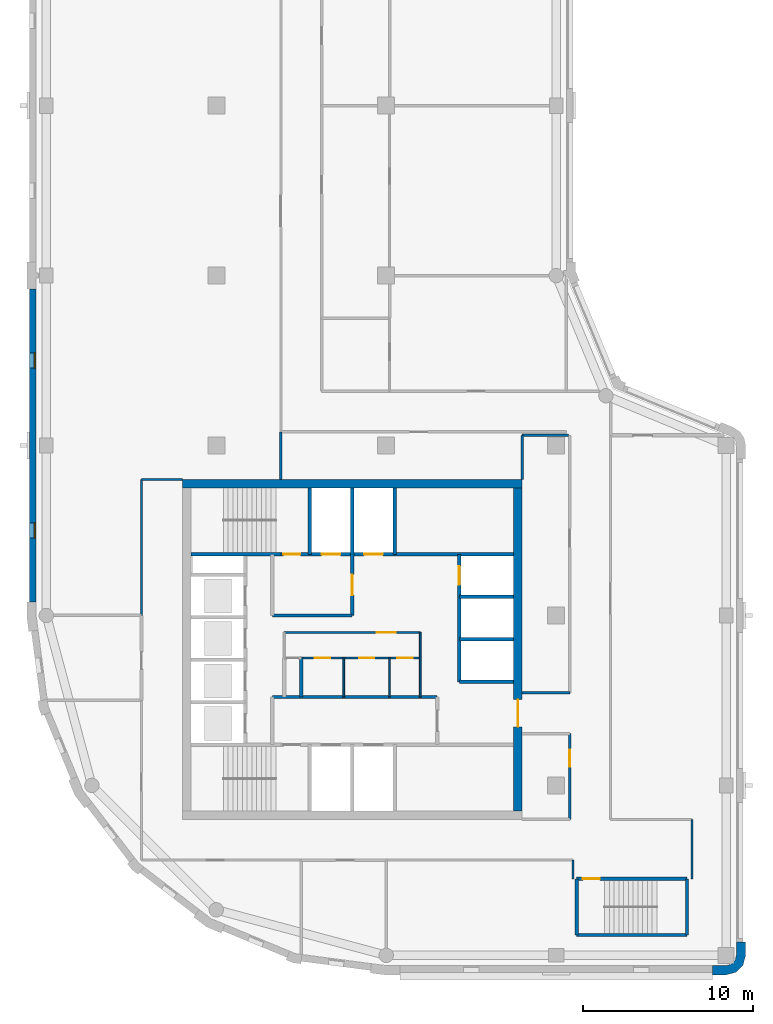
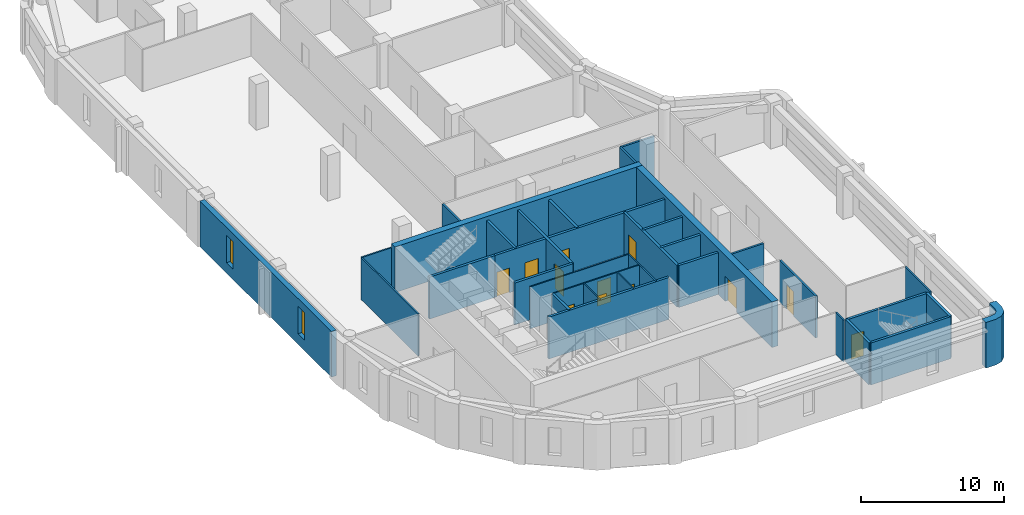
# One storey, part 3 of 8: 34 walls, 12 doors, 2 windows, 14 openings.
"""IFC4 building model written with IfcOpenShell, lengths in metres."""

from ifc_helpers import new_model, si_unit, direction, frame, frame_2d, origin, place, context, subcontext, project, spatial, polyline, rectangle, outline, extrude, material, layer, layer_set, type_object, element, fill, save


model = new_model("IFC4")

# Units and contexts
model_context = context("Model", 3, precision=1e-05, world=origin(), true_north=direction((0.0, 1.0)))
body_context = subcontext(model_context, "Body", "Model", "MODEL_VIEW")
ifc_project = project(units=[si_unit("LENGTHUNIT", "METRE"), si_unit("AREAUNIT", "SQUARE_METRE"), si_unit("VOLUMEUNIT", "CUBIC_METRE"), si_unit("PLANEANGLEUNIT", "RADIAN"), si_unit("MASSUNIT", "GRAM", prefix="KILO")], contexts=[model_context])

# Site, building, storey
site_placement = place(None, origin())
site = spatial("IfcSite", under=ifc_project, at=site_placement, CompositionType="ELEMENT")
building_placement = place(site_placement, origin())
building = spatial("IfcBuilding", under=site, at=building_placement, Name="Qaws Garden Tower", CompositionType="ELEMENT")
storey_placement = place(building_placement, frame((0.0, 0.0, 290.39990234375)))
storey = spatial("IfcBuildingStorey", under=building, at=storey_placement, Name="L70", CompositionType="ELEMENT", Elevation=290.39990234375)

# Wall
ifc_material_1 = material(Name="Clay facing brick masonry", Category="masonry")
ifc_layer_1 = layer(ifc_material_1, 0.550048828125)
ifc_layer_set_1 = layer_set([ifc_layer_1], Name="Clay facing brick masonry")
wall_type_1 = type_object("IfcWallType", Name="Brick corner pier 550 x 2400", PredefinedType="SOLIDWALL", material=ifc_layer_set_1)
wall_1_placement = place(storey_placement, origin())
element("IfcWall", 1, at=wall_1_placement, inside=storey, type_object=wall_type_1, Name="E-L70-pier-02", PredefinedType="SOLIDWALL", context=body_context, shape_type="SweptSolid", body=[
    extrude(outline(polyline([(39.199951171875, -1.0), (39.199951171875, -1.14990234375), (40.0, -1.14990234375), (40.574951171875, -0.995849609375), (40.995849609375, -0.574951171875), (41.14990234375, 0.0), (41.14990234375, 0.800048828125), (41.0, 0.800048828125), (40.60009765625, 0.800048828125), (40.60009765625, 0.0), (40.51953125, -0.300048828125), (40.300048828125, -0.51953125), (40.0, -0.60009765625), (39.199951171875, -0.60009765625), (39.199951171875, -1.0)])), origin(), (0.0, 0.0, 1.0), 3.900146484375),
])

# Wall, openings, windows
ifc_material_2 = material(Name="Clay facing brick masonry", Category="masonry")
ifc_layer_2 = layer(ifc_material_2, 0.39990234375)
ifc_layer_set_2 = layer_set([ifc_layer_2], Name="Clay facing brick masonry")
wall_type_2 = type_object("IfcWallType", Name="Brick infill wall 400", PredefinedType="SOLIDWALL", material=ifc_layer_set_2)
wall_2_placement = place(storey_placement, frame((-0.800048828125, 39.199951171875, 0.0), z_axis=(0.0, 0.0, 1.0), x_axis=(0.0, -1.0, 0.0)))
wall_2 = element("IfcWall", 2, at=wall_2_placement, inside=storey, type_object=wall_type_2, Name="E-L70-infill-19", PredefinedType="SOLIDWALL", context=body_context, shape_type="SweptSolid", body=[
    extrude(rectangle(XDim=18.39990234375, YDim=0.39990234375, at=frame_2d((9.199951171875, 0.0))), origin(), (0.0, 0.0, 1.0), 3.900146484375),
])
opening_1_placement = place(wall_2_placement, frame((3.75, 0.0, 0.89990234375)))
opening_1 = element("IfcOpeningElement", 3, at=opening_1_placement, cuts=wall_2, Name="Opening W09", PredefinedType="OPENING", context=body_context, shape_type="SweptSolid", body=[
    extrude(rectangle(XDim=0.89990234375, YDim=2.35009765625, at=frame_2d((0.449951171875, 1.175048828125))), frame((0.0, 0.2099609375, 0.0), z_axis=(0.0, -1.0, 0.0), x_axis=(1.0, 0.0, 0.0)), (0.0, 0.0, 1.0), 0.419921875),
])
opening_2_placement = place(wall_2_placement, frame((13.75, 0.0, 0.89990234375)))
opening_2 = element("IfcOpeningElement", 4, at=opening_2_placement, cuts=wall_2, Name="Opening W09", PredefinedType="OPENING", context=body_context, shape_type="SweptSolid", body=[
    extrude(rectangle(XDim=0.89990234375, YDim=2.35009765625, at=frame_2d((0.449951171875, 1.175048828125))), frame((0.0, 0.2099609375, 0.0), z_axis=(0.0, -1.0, 0.0), x_axis=(1.0, 0.0, 0.0)), (0.0, 0.0, 1.0), 0.419921875),
])
ifc_material_3 = material(Name="Aluminium framed window, clear glazing", Category="aluminium")
window_type = type_object("IfcWindowType", Name="Slit window 900 x 2350", PartitioningType="SINGLE_PANEL", PredefinedType="WINDOW", material=ifc_material_3)
window_1_placement = place(opening_1_placement, origin())
window_1 = element("IfcWindow", 5, at=window_1_placement, inside=storey, type_object=window_type, Name="E-L70-window-19-0", OverallHeight=2.35009765625, OverallWidth=0.89990234375, PartitioningType="SINGLE_PANEL", PredefinedType="WINDOW", context=body_context, shape_type="SweptSolid", body=[
    extrude(rectangle(XDim=0.89990234375, YDim=2.35009765625, at=frame_2d((0.449951171875, 1.175048828125))), frame((0.0, 0.159912109375, 0.0), z_axis=(0.0, -1.0, 0.0), x_axis=(1.0, 0.0, 0.0)), (0.0, 0.0, 1.0), 0.06005859375),
])
fill(opening_1, window_1)
window_2_placement = place(opening_2_placement, origin())
window_2 = element("IfcWindow", 6, at=window_2_placement, inside=storey, type_object=window_type, Name="E-L70-window-20-0", OverallHeight=2.35009765625, OverallWidth=0.89990234375, PartitioningType="SINGLE_PANEL", PredefinedType="WINDOW", context=body_context, shape_type="SweptSolid", body=[
    extrude(rectangle(XDim=0.89990234375, YDim=2.35009765625, at=frame_2d((0.449951171875, 1.175048828125))), frame((0.0, 0.159912109375, 0.0), z_axis=(0.0, -1.0, 0.0), x_axis=(1.0, 0.0, 0.0)), (0.0, 0.0, 1.0), 0.06005859375),
])
fill(opening_2, window_2)

# Wall, openings, doors
ifc_material_4 = material(Name="Plasterboard")
ifc_layer_3 = layer(ifc_material_4, 0.10009765625)
ifc_layer_set_3 = layer_set([ifc_layer_3], Name="Plasterboard")
wall_type_3 = type_object("IfcWallType", Name="Core partition 100", PredefinedType="PARTITIONING", material=ifc_layer_set_3)
wall_3_placement = place(storey_placement, frame((15.0, 17.5, 0.0), z_axis=(0.0, 0.0, 1.0), x_axis=(1.0, 0.0, 0.0)))
wall_3 = element("IfcWall", 7, at=wall_3_placement, inside=storey, type_object=wall_type_3, Name="Core partition", PredefinedType="PARTITIONING", context=body_context, shape_type="SweptSolid", body=[
    extrude(rectangle(XDim=7.0, YDim=0.10009765625, at=frame_2d((3.5, 0.0))), origin(), (0.0, 0.0, 1.0), 3.580078125),
])
opening_3_placement = place(wall_3_placement, frame((0.800048828125, 0.0, 0.0)))
opening_3 = element("IfcOpeningElement", 8, at=opening_3_placement, cuts=wall_3, Name="Opening WD19", PredefinedType="OPENING", context=body_context, shape_type="SweptSolid", body=[
    extrude(rectangle(XDim=0.89990234375, YDim=2.10009765625, at=frame_2d((0.449951171875, 1.050048828125))), frame((0.0, 0.06005859375, 0.0), z_axis=(0.0, -1.0, 0.0), x_axis=(1.0, 0.0, 0.0)), (0.0, 0.0, 1.0), 0.1201171875),
])
opening_4_placement = place(wall_3_placement, frame((3.39990234375, 0.0, 0.0)))
opening_4 = element("IfcOpeningElement", 9, at=opening_4_placement, cuts=wall_3, Name="Opening WD20", PredefinedType="OPENING", context=body_context, shape_type="SweptSolid", body=[
    extrude(rectangle(XDim=0.89990234375, YDim=2.10009765625, at=frame_2d((0.449951171875, 1.050048828125))), frame((0.0, 0.06005859375, 0.0), z_axis=(0.0, -1.0, 0.0), x_axis=(1.0, 0.0, 0.0)), (0.0, 0.0, 1.0), 0.1201171875),
])
opening_5_placement = place(wall_3_placement, frame((5.64990234375, 0.0, 0.0)))
opening_5 = element("IfcOpeningElement", 10, at=opening_5_placement, cuts=wall_3, Name="Opening WD21", PredefinedType="OPENING", context=body_context, shape_type="SweptSolid", body=[
    extrude(rectangle(XDim=0.89990234375, YDim=2.10009765625, at=frame_2d((0.449951171875, 1.050048828125))), frame((0.0, 0.06005859375, 0.0), z_axis=(0.0, -1.0, 0.0), x_axis=(1.0, 0.0, 0.0)), (0.0, 0.0, 1.0), 0.1201171875),
])
ifc_material_5 = material(Name="Timber", Category="wood")
door_type_1 = type_object("IfcDoorType", Name="WC door 900x2100", OperationType="SINGLE_SWING_LEFT", PredefinedType="DOOR", material=ifc_material_5)
door_1_placement = place(opening_3_placement, frame((0.89990234375, 0.0, 0.0), z_axis=(0.0, 0.0, 1.0), x_axis=(-1.0, 0.0, 0.0)))
door_1 = element("IfcDoor", 11, at=door_1_placement, inside=storey, type_object=door_type_1, Name="Men's WC door", OperationType="SINGLE_SWING_LEFT", OverallHeight=2.10009765625, OverallWidth=0.89990234375, PredefinedType="DOOR", context=body_context, shape_type="SweptSolid", body=[
    extrude(rectangle(XDim=0.89990234375, YDim=2.10009765625, at=frame_2d((0.449951171875, 1.050048828125))), frame((0.0, 0.02490234375, 0.0), z_axis=(0.0, -1.0, 0.0), x_axis=(1.0, 0.0, 0.0)), (0.0, 0.0, 1.0), 0.050048828125),
])
fill(opening_3, door_1)
door_2_placement = place(opening_4_placement, frame((0.89990234375, 0.0, 0.0), z_axis=(0.0, 0.0, 1.0), x_axis=(-1.0, 0.0, 0.0)))
door_2 = element("IfcDoor", 12, at=door_2_placement, inside=storey, type_object=door_type_1, Name="Women's WC door", OperationType="SINGLE_SWING_LEFT", OverallHeight=2.10009765625, OverallWidth=0.89990234375, PredefinedType="DOOR", context=body_context, shape_type="SweptSolid", body=[
    extrude(rectangle(XDim=0.89990234375, YDim=2.10009765625, at=frame_2d((0.449951171875, 1.050048828125))), frame((0.0, 0.02490234375, 0.0), z_axis=(0.0, -1.0, 0.0), x_axis=(1.0, 0.0, 0.0)), (0.0, 0.0, 1.0), 0.050048828125),
])
fill(opening_4, door_2)
door_3_placement = place(opening_5_placement, frame((0.89990234375, 0.0, 0.0), z_axis=(0.0, 0.0, 1.0), x_axis=(-1.0, 0.0, 0.0)))
door_3 = element("IfcDoor", 13, at=door_3_placement, inside=storey, type_object=door_type_1, Name="Accessible WC door", OperationType="SINGLE_SWING_LEFT", OverallHeight=2.10009765625, OverallWidth=0.89990234375, PredefinedType="DOOR", context=body_context, shape_type="SweptSolid", body=[
    extrude(rectangle(XDim=0.89990234375, YDim=2.10009765625, at=frame_2d((0.449951171875, 1.050048828125))), frame((0.0, 0.02490234375, 0.0), z_axis=(0.0, -1.0, 0.0), x_axis=(1.0, 0.0, 0.0)), (0.0, 0.0, 1.0), 0.050048828125),
])
fill(opening_5, door_3)

# Wall, opening, door
wall_4_placement = place(storey_placement, frame((14.0, 19.0, 0.0), z_axis=(0.0, 0.0, 1.0), x_axis=(1.0, 0.0, 0.0)))
wall_4 = element("IfcWall", 14, at=wall_4_placement, inside=storey, type_object=wall_type_3, Name="Core partition", PredefinedType="PARTITIONING", context=body_context, shape_type="SweptSolid", body=[
    extrude(rectangle(XDim=8.0, YDim=0.10009765625, at=frame_2d((4.0, 0.0))), origin(), (0.0, 0.0, 1.0), 3.580078125),
])
opening_6_placement = place(wall_4_placement, frame((5.449951171875, 0.0, 0.0)))
opening_6 = element("IfcOpeningElement", 15, at=opening_6_placement, cuts=wall_4, Name="Opening WL17", PredefinedType="OPENING", context=body_context, shape_type="SweptSolid", body=[
    extrude(rectangle(XDim=1.10009765625, YDim=2.10009765625, at=frame_2d((0.550048828125, 1.050048828125))), frame((0.0, 0.06005859375, 0.0), z_axis=(0.0, -1.0, 0.0), x_axis=(1.0, 0.0, 0.0)), (0.0, 0.0, 1.0), 0.1201171875),
])
ifc_material_6 = material(Name="Timber", Category="wood")
door_type_2 = type_object("IfcDoorType", Name="WC lobby door 1100x2100", OperationType="SINGLE_SWING_LEFT", PredefinedType="DOOR", material=ifc_material_6)
door_4_placement = place(opening_6_placement, frame((1.10009765625, 0.0, 0.0), z_axis=(0.0, 0.0, 1.0), x_axis=(-1.0, 0.0, 0.0)))
door_4 = element("IfcDoor", 16, at=door_4_placement, inside=storey, type_object=door_type_2, Name="WC lobby door", OperationType="SINGLE_SWING_LEFT", OverallHeight=2.10009765625, OverallWidth=1.10009765625, PredefinedType="DOOR", context=body_context, shape_type="SweptSolid", body=[
    extrude(rectangle(XDim=1.10009765625, YDim=2.10009765625, at=frame_2d((0.550048828125, 1.050048828125))), frame((0.0, 0.02490234375, 0.0), z_axis=(0.0, -1.0, 0.0), x_axis=(1.0, 0.0, 0.0)), (0.0, 0.0, 1.0), 0.050048828125),
])
fill(opening_6, door_4)

# Walls
for number, where, z_axis, x_axis, name in (
    (17, (17.5, 15.199951171875, 0.0), (0.0, 0.0, 1.0), (0.0, 1.0, 0.0), "Core partition"),
    (18, (20.199951171875, 15.199951171875, 0.0), (0.0, 0.0, 1.0), (0.0, 1.0, 0.0), "Core partition"),
):
    element("IfcWall", number, at=place(storey_placement, frame(where, z_axis=z_axis, x_axis=x_axis)), inside=storey, type_object=wall_type_3, Name=name, PredefinedType="PARTITIONING", context=body_context, shape_type="SweptSolid", body=[
        extrude(rectangle(XDim=2.300048828125, YDim=0.10009765625, at=frame_2d((1.14990234375, 0.0))), origin(), (0.0, 0.0, 1.0), 3.580078125),
    ])
wall_5_placement = place(storey_placement, frame((22.0, 15.199951171875, 0.0), z_axis=(0.0, 0.0, 1.0), x_axis=(0.0, 1.0, 0.0)))
element("IfcWall", 19, at=wall_5_placement, inside=storey, type_object=wall_type_3, Name="Core partition", PredefinedType="PARTITIONING", context=body_context, shape_type="SweptSolid", body=[
    extrude(rectangle(XDim=3.800048828125, YDim=0.10009765625, at=frame_2d((1.89990234375, 0.0))), origin(), (0.0, 0.0, 1.0), 3.580078125),
])
ifc_material_7 = material(Name="Concrete C60", Category="concrete")
ifc_layer_4 = layer(ifc_material_7, 0.199951171875)
ifc_layer_set_4 = layer_set([ifc_layer_4], Name="Concrete C60")
wall_type_4 = type_object("IfcWallType", Name="Core shaft wall 200 C60", PredefinedType="SHEAR", material=ifc_layer_set_4)
wall_6_placement = place(storey_placement, frame((31.199951171875, 1.199951171875, 0.0), z_axis=(0.0, 0.0, 1.0), x_axis=(1.0, 0.0, 0.0)))
element("IfcWall", 20, at=wall_6_placement, inside=storey, type_object=wall_type_4, Name="Shaft wall", PredefinedType="SHEAR", context=body_context, shape_type="SweptSolid", body=[
    extrude(rectangle(XDim=6.5, YDim=0.199951171875, at=frame_2d((3.25, 0.0))), origin(), (0.0, 0.0, 1.0), 3.580078125),
])

# Wall, opening, door
wall_7_placement = place(storey_placement, frame((31.199951171875, 4.5, 0.0), z_axis=(0.0, 0.0, 1.0), x_axis=(1.0, 0.0, 0.0)))
wall_7 = element("IfcWall", 21, at=wall_7_placement, inside=storey, type_object=wall_type_4, Name="Shaft wall", PredefinedType="SHEAR", context=body_context, shape_type="SweptSolid", body=[
    extrude(rectangle(XDim=6.5, YDim=0.199951171875, at=frame_2d((3.25, 0.0))), origin(), (0.0, 0.0, 1.0), 3.580078125),
])
opening_7_placement = place(wall_7_placement, frame((0.375, 0.0, 0.0)))
opening_7 = element("IfcOpeningElement", 22, at=opening_7_placement, cuts=wall_7, Name="Opening SD12", PredefinedType="OPENING", context=body_context, shape_type="SweptSolid", body=[
    extrude(rectangle(XDim=1.0, YDim=2.10009765625, at=frame_2d((0.5, 1.050048828125))), frame((0.0, 0.10986328125, 0.0), z_axis=(0.0, -1.0, 0.0), x_axis=(1.0, 0.0, 0.0)), (0.0, 0.0, 1.0), 0.219970703125),
])
ifc_material_8 = material(Name="Steel S235", Category="steel")
door_type_3 = type_object("IfcDoorType", Name="Stair door 1000x2100", OperationType="SINGLE_SWING_RIGHT", PredefinedType="DOOR", material=ifc_material_8)
door_5_placement = place(opening_7_placement, frame((1.0, 0.0, 0.0), z_axis=(0.0, 0.0, 1.0), x_axis=(-1.0, 0.0, 0.0)))
door_5 = element("IfcDoor", 23, at=door_5_placement, inside=storey, type_object=door_type_3, Name="Stair 5 door", OperationType="SINGLE_SWING_RIGHT", OverallHeight=2.10009765625, OverallWidth=1.0, PredefinedType="DOOR", context=body_context, shape_type="SweptSolid", body=[
    extrude(rectangle(XDim=1.0, YDim=2.10009765625, at=frame_2d((0.5, 1.050048828125))), frame((0.0, 0.02490234375, 0.0), z_axis=(0.0, -1.0, 0.0), x_axis=(1.0, 0.0, 0.0)), (0.0, 0.0, 1.0), 0.050048828125),
])
fill(opening_7, door_5)

# Walls
wall_8_placement = place(storey_placement, frame((13.300048828125, 15.199951171875, 0.0), z_axis=(0.0, 0.0, 1.0), x_axis=(1.0, 0.0, 0.0)))
element("IfcWall", 24, at=wall_8_placement, inside=storey, type_object=wall_type_4, Name="Shaft wall", PredefinedType="SHEAR", context=body_context, shape_type="SweptSolid", body=[
    extrude(rectangle(XDim=9.699951171875, YDim=0.199951171875, at=frame_2d((4.85009765625, 0.0))), origin(), (0.0, 0.0, 1.0), 3.580078125),
])
for number, where, z_axis, x_axis, name in (
    (25, (24.300048828125, 16.10009765625, 0.0), (0.0, 0.0, 1.0), (1.0, 0.0, 0.0), "Shaft wall"),
    (26, (24.300048828125, 18.60009765625, 0.0), (0.0, 0.0, 1.0), (1.0, 0.0, 0.0), "Shaft wall"),
):
    element("IfcWall", number, at=place(storey_placement, frame(where, z_axis=z_axis, x_axis=x_axis)), inside=storey, type_object=wall_type_4, Name=name, PredefinedType="SHEAR", context=body_context, shape_type="SweptSolid", body=[
        extrude(rectangle(XDim=3.199951171875, YDim=0.199951171875, at=frame_2d((1.60009765625, 0.0))), origin(), (0.0, 0.0, 1.0), 3.580078125),
    ])
wall_9_placement = place(storey_placement, frame((13.300048828125, 20.0, 0.0), z_axis=(0.0, 0.0, 1.0), x_axis=(1.0, 0.0, 0.0)))
element("IfcWall", 27, at=wall_9_placement, inside=storey, type_object=wall_type_4, Name="Shaft wall", PredefinedType="SHEAR", context=body_context, shape_type="SweptSolid", body=[
    extrude(rectangle(XDim=4.699951171875, YDim=0.199951171875, at=frame_2d((2.35009765625, 0.0))), origin(), (0.0, 0.0, 1.0), 3.580078125),
])
wall_10_placement = place(storey_placement, frame((24.300048828125, 21.10009765625, 0.0), z_axis=(0.0, 0.0, 1.0), x_axis=(1.0, 0.0, 0.0)))
element("IfcWall", 28, at=wall_10_placement, inside=storey, type_object=wall_type_4, Name="Shaft wall", PredefinedType="SHEAR", context=body_context, shape_type="SweptSolid", body=[
    extrude(rectangle(XDim=3.199951171875, YDim=0.199951171875, at=frame_2d((1.60009765625, 0.0))), origin(), (0.0, 0.0, 1.0), 3.580078125),
])
wall_11_placement = place(storey_placement, frame((8.5, 23.60009765625, 0.0), z_axis=(0.0, 0.0, 1.0), x_axis=(1.0, 0.0, 0.0)))
element("IfcWall", 29, at=wall_11_placement, inside=storey, type_object=wall_type_4, Name="Shaft wall", PredefinedType="SHEAR", context=body_context, shape_type="SweptSolid", body=[
    extrude(rectangle(XDim=5.300048828125, YDim=0.199951171875, at=frame_2d((2.64990234375, 0.0))), origin(), (0.0, 0.0, 1.0), 3.580078125),
])

# Wall, openings, doors
wall_12_placement = place(storey_placement, frame((13.800048828125, 23.60009765625, 0.0), z_axis=(0.0, 0.0, 1.0), x_axis=(1.0, 0.0, 0.0)))
wall_12 = element("IfcWall", 30, at=wall_12_placement, inside=storey, type_object=wall_type_4, Name="Shaft wall", PredefinedType="SHEAR", context=body_context, shape_type="SweptSolid", body=[
    extrude(rectangle(XDim=13.699951171875, YDim=0.199951171875, at=frame_2d((6.85009765625, 0.0))), origin(), (0.0, 0.0, 1.0), 3.580078125),
])
opening_8_placement = place(wall_12_placement, frame((2.39990234375, 0.0, 0.0)))
opening_8 = element("IfcOpeningElement", 31, at=opening_8_placement, cuts=wall_12, Name="Opening LD08", PredefinedType="OPENING", context=body_context, shape_type="SweptSolid", body=[
    extrude(rectangle(XDim=1.10009765625, YDim=2.10009765625, at=frame_2d((0.550048828125, 1.050048828125))), frame((0.0, 0.10986328125, 0.0), z_axis=(0.0, -1.0, 0.0), x_axis=(1.0, 0.0, 0.0)), (0.0, 0.0, 1.0), 0.219970703125),
])
opening_9_placement = place(wall_12_placement, frame((4.89990234375, 0.0, 0.0)))
opening_9 = element("IfcOpeningElement", 32, at=opening_9_placement, cuts=wall_12, Name="Opening LD09", PredefinedType="OPENING", context=body_context, shape_type="SweptSolid", body=[
    extrude(rectangle(XDim=1.10009765625, YDim=2.10009765625, at=frame_2d((0.550048828125, 1.050048828125))), frame((0.0, 0.10986328125, 0.0), z_axis=(0.0, -1.0, 0.0), x_axis=(1.0, 0.0, 0.0)), (0.0, 0.0, 1.0), 0.219970703125),
])
opening_10_placement = place(wall_12_placement, frame((0.14990234375, 0.0, 0.0)))
opening_10 = element("IfcOpeningElement", 33, at=opening_10_placement, cuts=wall_12, Name="Opening SD11", PredefinedType="OPENING", context=body_context, shape_type="SweptSolid", body=[
    extrude(rectangle(XDim=1.0, YDim=2.10009765625, at=frame_2d((0.5, 1.050048828125))), frame((0.0, 0.10986328125, 0.0), z_axis=(0.0, -1.0, 0.0), x_axis=(1.0, 0.0, 0.0)), (0.0, 0.0, 1.0), 0.219970703125),
])
ifc_material_9 = material(Name="Steel S235", Category="steel")
door_type_4 = type_object("IfcDoorType", Name="Landing door 1100x2100", OperationType="DOUBLE_DOOR_SLIDING", PredefinedType="DOOR", material=ifc_material_9)
door_6_placement = place(opening_8_placement, origin())
door_6 = element("IfcDoor", 34, at=door_6_placement, inside=storey, type_object=door_type_4, Name="Lift FF3 landing door", OperationType="DOUBLE_DOOR_SLIDING", OverallHeight=2.10009765625, OverallWidth=1.10009765625, PredefinedType="DOOR", context=body_context, shape_type="SweptSolid", body=[
    extrude(rectangle(XDim=1.10009765625, YDim=2.10009765625, at=frame_2d((0.550048828125, 1.050048828125))), frame((0.0, 0.02490234375, 0.0), z_axis=(0.0, -1.0, 0.0), x_axis=(1.0, 0.0, 0.0)), (0.0, 0.0, 1.0), 0.050048828125),
])
fill(opening_8, door_6)
door_7_placement = place(opening_9_placement, origin())
door_7 = element("IfcDoor", 35, at=door_7_placement, inside=storey, type_object=door_type_4, Name="Lift SV2 landing door", OperationType="DOUBLE_DOOR_SLIDING", OverallHeight=2.10009765625, OverallWidth=1.10009765625, PredefinedType="DOOR", context=body_context, shape_type="SweptSolid", body=[
    extrude(rectangle(XDim=1.10009765625, YDim=2.10009765625, at=frame_2d((0.550048828125, 1.050048828125))), frame((0.0, 0.02490234375, 0.0), z_axis=(0.0, -1.0, 0.0), x_axis=(1.0, 0.0, 0.0)), (0.0, 0.0, 1.0), 0.050048828125),
])
fill(opening_9, door_7)
door_8_placement = place(opening_10_placement, origin())
door_8 = element("IfcDoor", 36, at=door_8_placement, inside=storey, type_object=door_type_3, Name="Stair 4 door", OperationType="SINGLE_SWING_RIGHT", OverallHeight=2.10009765625, OverallWidth=1.0, PredefinedType="DOOR", context=body_context, shape_type="SweptSolid", body=[
    extrude(rectangle(XDim=1.0, YDim=2.10009765625, at=frame_2d((0.5, 1.050048828125))), frame((0.0, 0.02490234375, 0.0), z_axis=(0.0, -1.0, 0.0), x_axis=(1.0, 0.0, 0.0)), (0.0, 0.0, 1.0), 0.050048828125),
])
fill(opening_10, door_8)

# Walls
wall_13_placement = place(storey_placement, frame((15.0, 15.199951171875, 0.0), z_axis=(0.0, 0.0, 1.0), x_axis=(0.0, 1.0, 0.0)))
element("IfcWall", 37, at=wall_13_placement, inside=storey, type_object=wall_type_4, Name="Shaft wall", PredefinedType="SHEAR", context=body_context, shape_type="SweptSolid", body=[
    extrude(rectangle(XDim=2.300048828125, YDim=0.199951171875, at=frame_2d((1.14990234375, 0.0))), origin(), (0.0, 0.0, 1.0), 3.580078125),
])
wall_14_placement = place(storey_placement, frame((15.5, 23.60009765625, 0.0), z_axis=(0.0, 0.0, 1.0), x_axis=(0.0, 1.0, 0.0)))
element("IfcWall", 38, at=wall_14_placement, inside=storey, type_object=wall_type_4, Name="Shaft wall", PredefinedType="SHEAR", context=body_context, shape_type="SweptSolid", body=[
    extrude(rectangle(XDim=3.89990234375, YDim=0.199951171875, at=frame_2d((1.949951171875, 0.0))), origin(), (0.0, 0.0, 1.0), 3.580078125),
])

# Wall, opening, door
wall_15_placement = place(storey_placement, frame((18.0, 20.0, 0.0), z_axis=(0.0, 0.0, 1.0), x_axis=(0.0, 1.0, 0.0)))
wall_15 = element("IfcWall", 39, at=wall_15_placement, inside=storey, type_object=wall_type_4, Name="Shaft wall", PredefinedType="SHEAR", context=body_context, shape_type="SweptSolid", body=[
    extrude(rectangle(XDim=7.5, YDim=0.199951171875, at=frame_2d((3.75, 0.0))), origin(), (0.0, 0.0, 1.0), 3.580078125),
])
opening_11_placement = place(wall_15_placement, frame((1.199951171875, 0.0, 0.0)))
opening_11 = element("IfcOpeningElement", 40, at=opening_11_placement, cuts=wall_15, Name="Opening FD16", PredefinedType="OPENING", context=body_context, shape_type="SweptSolid", body=[
    extrude(rectangle(XDim=1.199951171875, YDim=2.10009765625, at=frame_2d((0.60009765625, 1.050048828125))), frame((0.0, 0.10986328125, 0.0), z_axis=(0.0, -1.0, 0.0), x_axis=(1.0, 0.0, 0.0)), (0.0, 0.0, 1.0), 0.219970703125),
])
ifc_material_10 = material(Name="Steel S235", Category="steel")
door_type_5 = type_object("IfcDoorType", Name="Lobby door 1200x2100", OperationType="DOUBLE_DOOR_SINGLE_SWING", PredefinedType="DOOR", material=ifc_material_10)
door_9_placement = place(opening_11_placement, origin())
door_9 = element("IfcDoor", 41, at=door_9_placement, inside=storey, type_object=door_type_5, Name="Fire-fighting lobby door", OperationType="DOUBLE_DOOR_SINGLE_SWING", OverallHeight=2.10009765625, OverallWidth=1.199951171875, PredefinedType="DOOR", context=body_context, shape_type="SweptSolid", body=[
    extrude(rectangle(XDim=1.199951171875, YDim=2.10009765625, at=frame_2d((0.60009765625, 1.050048828125))), frame((0.0, 0.02490234375, 0.0), z_axis=(0.0, -1.0, 0.0), x_axis=(1.0, 0.0, 0.0)), (0.0, 0.0, 1.0), 0.050048828125),
])
fill(opening_11, door_9)

# Wall
wall_16_placement = place(storey_placement, frame((20.5, 23.60009765625, 0.0), z_axis=(0.0, 0.0, 1.0), x_axis=(0.0, 1.0, 0.0)))
element("IfcWall", 42, at=wall_16_placement, inside=storey, type_object=wall_type_4, Name="Shaft wall", PredefinedType="SHEAR", context=body_context, shape_type="SweptSolid", body=[
    extrude(rectangle(XDim=3.89990234375, YDim=0.199951171875, at=frame_2d((1.949951171875, 0.0))), origin(), (0.0, 0.0, 1.0), 3.580078125),
])

# Wall, opening, door
wall_17_placement = place(storey_placement, frame((24.300048828125, 16.10009765625, 0.0), z_axis=(0.0, 0.0, 1.0), x_axis=(0.0, 1.0, 0.0)))
wall_17 = element("IfcWall", 43, at=wall_17_placement, inside=storey, type_object=wall_type_4, Name="Shaft wall", PredefinedType="SHEAR", context=body_context, shape_type="SweptSolid", body=[
    extrude(rectangle(XDim=7.5, YDim=0.199951171875, at=frame_2d((3.75, 0.0))), origin(), (0.0, 0.0, 1.0), 3.580078125),
])
opening_12_placement = place(wall_17_placement, frame((5.699951171875, 0.0, 0.0)))
opening_12 = element("IfcOpeningElement", 44, at=opening_12_placement, cuts=wall_17, Name="Opening LD05", PredefinedType="OPENING", context=body_context, shape_type="SweptSolid", body=[
    extrude(rectangle(XDim=1.10009765625, YDim=2.10009765625, at=frame_2d((0.550048828125, 1.050048828125))), frame((0.0, 0.10986328125, 0.0), z_axis=(0.0, -1.0, 0.0), x_axis=(1.0, 0.0, 0.0)), (0.0, 0.0, 1.0), 0.219970703125),
])
door_10_placement = place(opening_12_placement, origin())
door_10 = element("IfcDoor", 45, at=door_10_placement, inside=storey, type_object=door_type_4, Name="Lift E3 landing door", OperationType="DOUBLE_DOOR_SLIDING", OverallHeight=2.10009765625, OverallWidth=1.10009765625, PredefinedType="DOOR", context=body_context, shape_type="SweptSolid", body=[
    extrude(rectangle(XDim=1.10009765625, YDim=2.10009765625, at=frame_2d((0.550048828125, 1.050048828125))), frame((0.0, 0.02490234375, 0.0), z_axis=(0.0, -1.0, 0.0), x_axis=(1.0, 0.0, 0.0)), (0.0, 0.0, 1.0), 0.050048828125),
])
fill(opening_12, door_10)

# Walls
for number, where, z_axis, x_axis, name in (
    (46, (31.199951171875, 1.199951171875, 0.0), (0.0, 0.0, 1.0), (0.0, 1.0, 0.0), "Shaft wall"),
    (47, (37.699951171875, 1.199951171875, 0.0), (0.0, 0.0, 1.0), (0.0, 1.0, 0.0), "Shaft wall"),
):
    element("IfcWall", number, at=place(storey_placement, frame(where, z_axis=z_axis, x_axis=x_axis)), inside=storey, type_object=wall_type_4, Name=name, PredefinedType="SHEAR", context=body_context, shape_type="SweptSolid", body=[
        extrude(rectangle(XDim=3.300048828125, YDim=0.199951171875, at=frame_2d((1.64990234375, 0.0))), origin(), (0.0, 0.0, 1.0), 3.580078125),
    ])

# Wall, opening, door
ifc_material_11 = material(Name="Concrete C60", Category="concrete")
ifc_layer_5 = layer(ifc_material_11, 0.5)
ifc_layer_set_5 = layer_set([ifc_layer_5], Name="Concrete C60")
wall_type_5 = type_object("IfcWallType", Name="Core wall 500 C60", PredefinedType="SHEAR", material=ifc_layer_set_5)
wall_18_placement = place(storey_placement, frame((27.75, 8.5, 0.0), z_axis=(0.0, 0.0, 1.0), x_axis=(0.0, 1.0, 0.0)))
wall_18 = element("IfcWall", 48, at=wall_18_placement, inside=storey, type_object=wall_type_5, Name="Core wall L70 east", PredefinedType="SHEAR", context=body_context, shape_type="SweptSolid", body=[
    extrude(rectangle(XDim=19.0, YDim=0.5, at=frame_2d((9.5, 0.0))), origin(), (0.0, 0.0, 1.0), 3.900146484375),
])
opening_13_placement = place(wall_18_placement, frame((4.949951171875, 0.0, 0.0)))
opening_13 = element("IfcOpeningElement", 49, at=opening_13_placement, cuts=wall_18, Name="Opening ED22", PredefinedType="OPENING", context=body_context, shape_type="SweptSolid", body=[
    extrude(rectangle(XDim=1.60009765625, YDim=2.10009765625, at=frame_2d((0.800048828125, 1.050048828125))), frame((0.0, 0.260009765625, 0.0), z_axis=(0.0, -1.0, 0.0), x_axis=(1.0, 0.0, 0.0)), (0.0, 0.0, 1.0), 0.52001953125),
])
ifc_material_12 = material(Name="Steel S235", Category="steel")
door_type_6 = type_object("IfcDoorType", Name="Core entrance door 1600x2100", OperationType="DOUBLE_DOOR_SINGLE_SWING", PredefinedType="DOOR", material=ifc_material_12)
door_11_placement = place(opening_13_placement, origin())
door_11 = element("IfcDoor", 50, at=door_11_placement, inside=storey, type_object=door_type_6, Name="Core entrance door", OperationType="DOUBLE_DOOR_SINGLE_SWING", OverallHeight=2.10009765625, OverallWidth=1.60009765625, PredefinedType="DOOR", context=body_context, shape_type="SweptSolid", body=[
    extrude(rectangle(XDim=1.60009765625, YDim=2.10009765625, at=frame_2d((0.800048828125, 1.050048828125))), frame((0.0, 0.02490234375, 0.0), z_axis=(0.0, -1.0, 0.0), x_axis=(1.0, 0.0, 0.0)), (0.0, 0.0, 1.0), 0.050048828125),
])
fill(opening_13, door_11)

# Walls
wall_19_placement = place(storey_placement, frame((28.0, 27.75, 0.0), z_axis=(0.0, 0.0, 1.0), x_axis=(-1.0, 0.0, 0.0)))
element("IfcWall", 51, at=wall_19_placement, inside=storey, type_object=wall_type_5, Name="Core wall L70 north", PredefinedType="SHEAR", context=body_context, shape_type="SweptSolid", body=[
    extrude(rectangle(XDim=20.0, YDim=0.5, at=frame_2d((10.0, 0.0))), origin(), (0.0, 0.0, 1.0), 3.900146484375),
])
ifc_material_13 = material(Name="Glass and aluminium framing", Category="aluminium")
ifc_layer_6 = layer(ifc_material_13, 0.1201171875)
ifc_layer_set_6 = layer_set([ifc_layer_6], Name="Glass and aluminium framing")
wall_type_6 = type_object("IfcWallType", Name="GLAZED PARTITION 120 EI 30", PredefinedType="PARTITIONING", material=ifc_layer_set_6)
wall_20_placement = place(storey_placement, frame((5.60009765625, 20.0, 0.0), z_axis=(0.0, 0.0, 1.0), x_axis=(0.0, 1.0, 0.0)))
element("IfcWall", 52, at=wall_20_placement, inside=storey, type_object=wall_type_6, Name="O-L70-wall-038", PredefinedType="PARTITIONING", context=body_context, shape_type="SweptSolid", body=[
    extrude(rectangle(XDim=8.0, YDim=0.1201171875, at=frame_2d((4.0, 0.0))), origin(), (0.0, 0.0, 1.0), 3.580078125),
])
wall_21_placement = place(storey_placement, frame((31.0, 4.5, 0.0), z_axis=(0.0, 0.0, 1.0), x_axis=(0.0, 1.0, 0.0)))
element("IfcWall", 53, at=wall_21_placement, inside=storey, type_object=wall_type_6, Name="O-L70-wall-043", PredefinedType="PARTITIONING", context=body_context, shape_type="SweptSolid", body=[
    extrude(rectangle(XDim=1.10009765625, YDim=0.1201171875, at=frame_2d((0.550048828125, 0.0))), origin(), (0.0, 0.0, 1.0), 3.580078125),
])
wall_22_placement = place(storey_placement, frame((38.0, 4.5, 0.0), z_axis=(0.0, 0.0, 1.0), x_axis=(0.0, 1.0, 0.0)))
element("IfcWall", 54, at=wall_22_placement, inside=storey, type_object=wall_type_6, Name="O-L70-wall-045", PredefinedType="PARTITIONING", context=body_context, shape_type="SweptSolid", body=[
    extrude(rectangle(XDim=3.5, YDim=0.1201171875, at=frame_2d((1.75, 0.0))), origin(), (0.0, 0.0, 1.0), 3.580078125),
])
wall_23_placement = place(storey_placement, frame((5.60009765625, 28.0, 0.0), z_axis=(0.0, 0.0, 1.0), x_axis=(1.0, 0.0, 0.0)))
element("IfcWall", 55, at=wall_23_placement, inside=storey, type_object=wall_type_6, Name="O-L70-wall-049", PredefinedType="PARTITIONING", context=body_context, shape_type="SweptSolid", body=[
    extrude(rectangle(XDim=2.39990234375, YDim=0.1201171875, at=frame_2d((1.199951171875, 0.0))), origin(), (0.0, 0.0, 1.0), 3.580078125),
])
ifc_material_14 = material(Name="Gypsum board partition")
ifc_layer_7 = layer(ifc_material_14, 0.14990234375)
ifc_layer_set_7 = layer_set([ifc_layer_7], Name="Gypsum board partition")
wall_type_7 = type_object("IfcWallType", Name="PARTITION 150 EI 60", PredefinedType="PARTITIONING", material=ifc_layer_set_7)
wall_24_placement = place(storey_placement, frame((13.800048828125, 28.0, 0.0), z_axis=(0.0, 0.0, 1.0), x_axis=(0.0, 1.0, 0.0)))
element("IfcWall", 56, at=wall_24_placement, inside=storey, type_object=wall_type_7, Name="O-L70-wall-005", PredefinedType="PARTITIONING", context=body_context, shape_type="SweptSolid", body=[
    extrude(rectangle(XDim=2.801025390625, YDim=0.14990234375, at=frame_2d((1.400390625, 0.0))), origin(), (0.0, 0.0, 1.0), 3.580078125),
])
wall_25_placement = place(storey_placement, frame((28.0, 28.0, 0.0), z_axis=(0.0, 0.0, 1.0), x_axis=(0.0, 1.0, 0.0)))
element("IfcWall", 57, at=wall_25_placement, inside=storey, type_object=wall_type_7, Name="O-L70-wall-012", PredefinedType="PARTITIONING", context=body_context, shape_type="SweptSolid", body=[
    extrude(rectangle(XDim=2.597900390625, YDim=0.14990234375, at=frame_2d((1.298828125, 0.0))), origin(), (0.0, 0.0, 1.0), 3.580078125),
])

# Wall, opening, door
wall_26_placement = place(storey_placement, frame((30.800048828125, 8.0, 0.0), z_axis=(0.0, 0.0, 1.0), x_axis=(0.0, 1.0, 0.0)))
wall_26 = element("IfcWall", 58, at=wall_26_placement, inside=storey, type_object=wall_type_7, Name="O-L70-wall-014", PredefinedType="PARTITIONING", context=body_context, shape_type="SweptSolid", body=[
    extrude(rectangle(XDim=5.050048828125, YDim=0.14990234375, at=frame_2d((2.52490234375, 0.0))), origin(), (0.0, 0.0, 1.0), 3.580078125),
])
opening_14_placement = place(wall_26_placement, frame((3.10009765625, 0.0, 0.0)))
opening_14 = element("IfcOpeningElement", 59, at=opening_14_placement, cuts=wall_26, Name="Opening C513", PredefinedType="OPENING", context=body_context, shape_type="SweptSolid", body=[
    extrude(rectangle(XDim=1.0, YDim=2.10009765625, at=frame_2d((0.5, 1.050048828125))), frame((0.0, 0.0849609375, 0.0), z_axis=(0.0, -1.0, 0.0), x_axis=(1.0, 0.0, 0.0)), (0.0, 0.0, 1.0), 0.169921875),
])
ifc_material_15 = material(Name="Timber door leaf", Category="wood")
door_type_7 = type_object("IfcDoorType", Name="TENANCY ENTRANCE DOOR 1000 X 2100", OperationType="SINGLE_SWING_LEFT", PredefinedType="DOOR", material=ifc_material_15)
door_12_placement = place(opening_14_placement, origin())
door_12 = element("IfcDoor", 60, at=door_12_placement, inside=storey, type_object=door_type_7, Name="O-L70-door-013", OperationType="SINGLE_SWING_RIGHT", OverallHeight=2.10009765625, OverallWidth=1.0, PredefinedType="DOOR", context=body_context, shape_type="SweptSolid", body=[
    extrude(rectangle(XDim=1.0, YDim=2.10009765625, at=frame_2d((0.5, 1.050048828125))), frame((0.0, 0.02490234375, 0.0), z_axis=(0.0, -1.0, 0.0), x_axis=(1.0, 0.0, 0.0)), (0.0, 0.0, 1.0), 0.050048828125),
])
fill(opening_14, door_12)

# Walls
wall_27_placement = place(storey_placement, frame((28.0, 15.449951171875, 0.0), z_axis=(0.0, 0.0, 1.0), x_axis=(1.0, 0.0, 0.0)))
element("IfcWall", 61, at=wall_27_placement, inside=storey, type_object=wall_type_7, Name="O-L70-wall-021", PredefinedType="PARTITIONING", context=body_context, shape_type="SweptSolid", body=[
    extrude(rectangle(XDim=2.800048828125, YDim=0.14990234375, at=frame_2d((1.39990234375, 0.0))), origin(), (0.0, 0.0, 1.0), 3.580078125),
])
wall_28_placement = place(storey_placement, frame((28.001953125, 30.60009765625, 0.0), z_axis=(0.0, 0.0, 1.0), x_axis=(1.0, 0.0, 0.0)))
element("IfcWall", 62, at=wall_28_placement, inside=storey, type_object=wall_type_7, Name="O-L70-wall-023", PredefinedType="PARTITIONING", context=body_context, shape_type="SweptSolid", body=[
    extrude(rectangle(XDim=2.72314453125, YDim=0.14990234375, at=frame_2d((1.361572265625, 0.0))), origin(), (0.0, 0.0, 1.0), 3.580078125),
])

save(model, "model.ifc")
